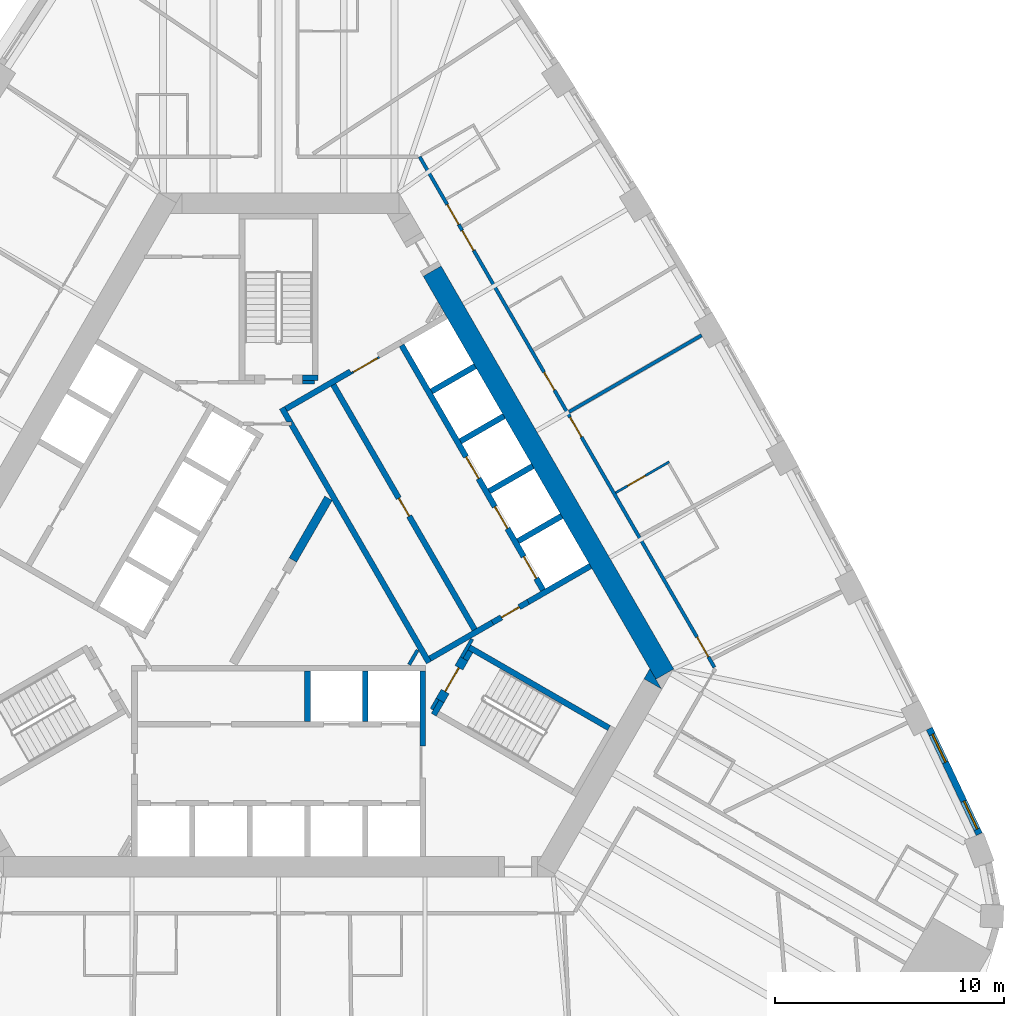
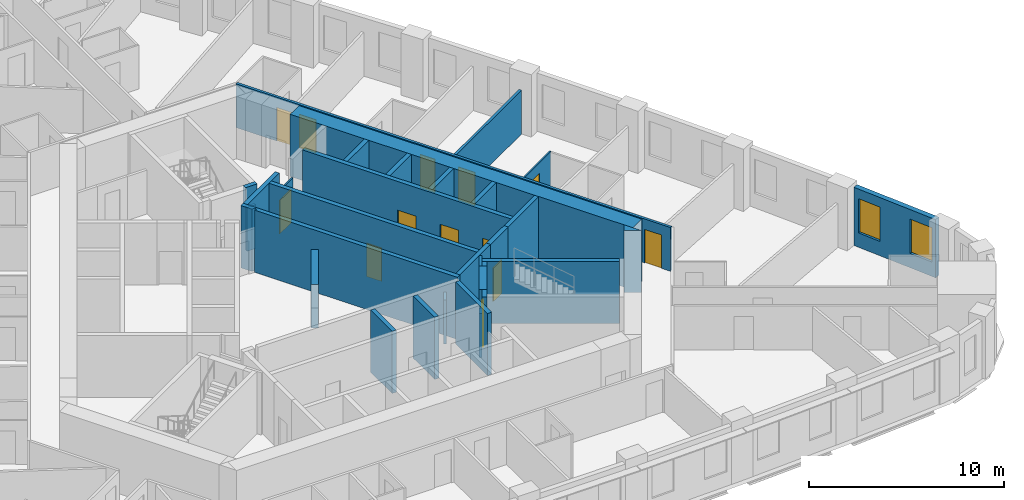
# One storey, part 8 of 12: 31 walls, 13 doors, 2 windows, 15 openings.
"""IFC4 building model written with IfcOpenShell, lengths in metres."""

import ifcopenshell
import ifcopenshell.guid

model = None  # the IFC model being written
_history = None  # IfcOwnerHistory: only IFC2X3 demands one
_inside = {}  # id of a spatial element -> (the spatial element, [elements in it])
_under = {}  # id of a project, library or spatial element -> (it, [spatial elements below it])
_declared = {}  # id of a project -> (the project, [libraries it declares])
_typed = {}  # id of a type object -> (the type object, [elements of that type])
_made_of = {}  # id of a material, layer set ... -> (it, [elements and type objects made of it])


def new_model(schema):
    """Start an empty IFC model of exactly this schema.

    Asked for "IFC4X3", IfcOpenShell would pick the latest addendum, in which some entities
    have other attributes; the version numbers below select the first issue.
    IFC2X3 requires an IfcOwnerHistory on every rooted entity: one is made here for all.
    """
    global model, _history
    if schema == "IFC4X3":
        model = ifcopenshell.file(schema_version=(4, 3, 0, 0))
    else:
        model = ifcopenshell.file(schema=schema)
    _inside.clear()
    _under.clear()
    _declared.clear()
    _typed.clear()
    _made_of.clear()
    _history = None
    if model.schema == "IFC2X3":
        org = make("IfcOrganization", Name="unknown")
        user = make(
            "IfcPersonAndOrganization",
            ThePerson=make("IfcPerson", FamilyName="unknown"),
            TheOrganization=org,
        )
        app = make(
            "IfcApplication",
            ApplicationDeveloper=org,
            Version="unknown",
            ApplicationFullName="unknown",
            ApplicationIdentifier="unknown",
        )
        _history = make(
            "IfcOwnerHistory",
            OwningUser=user,
            OwningApplication=app,
            ChangeAction="ADDED",
            CreationDate=0,
        )
    return model


def make(cls, **values):
    """One entity of the class cls with the attributes given. An attribute that is None is left unset."""
    return model.create_entity(
        cls, **{name: value for name, value in values.items() if value is not None}
    )


def rooted(cls, **values):
    """An entity with a GlobalId (a new one), such as an element, a storey or a relation."""
    return make(cls, GlobalId=ifcopenshell.guid.new(), OwnerHistory=_history, **values)


def si_unit(unit_type, name, prefix=None):
    """IfcSIUnit, for example si_unit("LENGTHUNIT", "METRE", prefix="MILLI")."""
    return make("IfcSIUnit", UnitType=unit_type, Prefix=prefix, Name=name)


def assignment(units):
    """IfcUnitAssignment: the units of a project."""
    return None if units is None else make("IfcUnitAssignment", Units=units)


def point(xyz):
    """IfcCartesianPoint."""
    return None if xyz is None else make("IfcCartesianPoint", Coordinates=xyz)


def direction(xyz):
    """IfcDirection."""
    return None if xyz is None else make("IfcDirection", DirectionRatios=xyz)


def frame(location, z_axis=None, x_axis=None):
    """IfcAxis2Placement3D, a coordinate frame: its origin and axes. An axis left out is left unset."""
    return make(
        "IfcAxis2Placement3D",
        Location=point(location),
        Axis=direction(z_axis),
        RefDirection=direction(x_axis),
    )


def frame_2d(location, x_axis=None):
    """IfcAxis2Placement2D, a coordinate frame in the plane: its origin and x axis."""
    return make(
        "IfcAxis2Placement2D", Location=point(location), RefDirection=direction(x_axis)
    )


def origin():
    """The frame at (0, 0, 0) with its axes left unset."""
    return frame((0.0, 0.0, 0.0))


def place(relative_to, where):
    """IfcLocalPlacement: puts the frame where relative to a parent placement (None: the world)."""
    return make(
        "IfcLocalPlacement", PlacementRelTo=relative_to, RelativePlacement=where
    )


def context(
    kind, dimensions, precision=None, world=None, true_north=None, identifier=None
):
    """IfcGeometricRepresentationContext, for example the 3D "Model" context."""
    return make(
        "IfcGeometricRepresentationContext",
        ContextIdentifier=identifier,
        ContextType=kind,
        CoordinateSpaceDimension=dimensions,
        Precision=precision,
        WorldCoordinateSystem=world,
        TrueNorth=true_north,
    )


def subcontext(parent, identifier, kind, view, scale=None):
    """IfcGeometricRepresentationSubContext, for example "Body" below "Model"."""
    return make(
        "IfcGeometricRepresentationSubContext",
        ContextIdentifier=identifier,
        ContextType=kind,
        ParentContext=parent,
        TargetScale=scale,
        TargetView=view,
    )


def project(units=None, contexts=None):
    """IfcProject with its units and contexts."""
    return rooted(
        "IfcProject",
        Name="project",
        RepresentationContexts=contexts,
        UnitsInContext=assignment(units),
    )


def spatial(cls, under=None, at=None, **own):
    """A site, building, storey or space (cls), placed at a placement, below another one or the project."""
    s = rooted(cls, ObjectPlacement=at, **own)
    if under is not None:
        _under.setdefault(under.id(), (under, []))[1].append(s)
    return s


def polyline(points):
    """IfcPolyline through the points."""
    return make("IfcPolyline", Points=[point(p) for p in points])


def profile(cls, at=None, kind="AREA", **sizes):
    """A parametric profile (cls). Its sizes go by their IFC names, for example OverallWidth=200.0."""
    return make(cls, ProfileType=kind, Position=at, **sizes)


def rectangle(**sizes):
    """IfcRectangleProfileDef."""
    return profile("IfcRectangleProfileDef", **sizes)


def outline(outer, holes=None, kind="AREA"):
    """IfcArbitraryClosedProfileDef: a profile drawn as a closed curve; with holes, ...WithVoids."""
    if holes is None:
        return make("IfcArbitraryClosedProfileDef", ProfileType=kind, OuterCurve=outer)
    return make(
        "IfcArbitraryProfileDefWithVoids",
        ProfileType=kind,
        OuterCurve=outer,
        InnerCurves=holes,
    )


def extrude(swept, where, along, depth):
    """IfcExtrudedAreaSolid: the profile swept, set in the frame where, extruded along a direction by depth."""
    return make(
        "IfcExtrudedAreaSolid",
        SweptArea=swept,
        Position=where,
        ExtrudedDirection=direction(along),
        Depth=depth,
    )


def shape(context_of_items, identifier, shape_type, items):
    """IfcShapeRepresentation: the items that make up one representation, for example the "Body"."""
    return make(
        "IfcShapeRepresentation",
        ContextOfItems=context_of_items,
        RepresentationIdentifier=identifier,
        RepresentationType=shape_type,
        Items=items,
    )


def material(Name=None, Category=None):
    """IfcMaterial."""
    return make("IfcMaterial", Name=Name, Category=Category)


def layer(
    of_material, thickness, ventilated=None, Name=None, Category=None, Priority=None
):
    """IfcMaterialLayer: one layer of a wall or slab, of a material (None: an air gap)."""
    return make(
        "IfcMaterialLayer",
        Material=of_material,
        LayerThickness=thickness,
        IsVentilated=ventilated,
        Name=Name,
        Category=Category,
        Priority=Priority,
    )


def layer_set(layers, Name=None):
    """IfcMaterialLayerSet."""
    return make("IfcMaterialLayerSet", MaterialLayers=layers, LayerSetName=Name)


def made_of(thing, what):
    """Note that an element or type object is made of a material, layer set ...; save() writes the relation."""
    if what is not None:
        _made_of.setdefault(what.id(), (what, []))[1].append(thing)
    return thing


def type_object(cls, material=None, **own):
    """A type object (cls), such as IfcWallType, which elements share."""
    return made_of(rooted(cls, **own), material)


def element(
    cls,
    number,
    at=None,
    inside=None,
    cuts=None,
    type_object=None,
    material=None,
    context=None,
    identifier="Body",
    shape_type=None,
    held_by="IfcProductDefinitionShape",
    body=None,
    shapes=None,
    **own,
):
    """One element of the class cls, such as IfcWall. Its Tag is "e" and its number.

    at: its placement. inside: the storey or other place that contains it. cuts: it is an
    opening in that element (IfcRelVoidsElement). A single representation is given by context,
    identifier, shape_type and body (its items); several are given by shapes. held_by: the class
    of the entity that holds the representations. save() writes the other relations.
    """
    e = rooted(cls, Tag="e%d" % number, ObjectPlacement=at, **own)
    if body is not None:
        shapes = [shape(context, identifier, shape_type, body)]
    if shapes is not None:
        e.Representation = make(held_by, Representations=shapes)
    if inside is not None:
        _inside.setdefault(inside.id(), (inside, []))[1].append(e)
    if cuts is not None:
        rooted(
            "IfcRelVoidsElement", RelatingBuildingElement=cuts, RelatedOpeningElement=e
        )
    if type_object is not None:
        _typed.setdefault(type_object.id(), (type_object, []))[1].append(e)
    return made_of(e, material)


def fill(opening, filler):
    """IfcRelFillsElement: the door or window that sits in an opening."""
    return rooted(
        "IfcRelFillsElement",
        RelatingOpeningElement=opening,
        RelatedBuildingElement=filler,
    )


def aggregate(whole, parts):
    """IfcRelAggregates: a whole, such as a stair, and the parts it consists of."""
    return rooted("IfcRelAggregates", RelatingObject=whole, RelatedObjects=parts)


def save(model, path):
    """Write the relations noted so far, then the file.

    IfcRelAggregates (storeys below a building ...), IfcRelContainedInSpatialStructure (elements
    in a storey), IfcRelDefinesByType, IfcRelAssociatesMaterial and IfcRelDeclares: one each for
    every whole, place, type object, material and project.
    """
    for whole, parts in _under.values():
        aggregate(whole, parts)
    for where, things in _inside.values():
        rooted(
            "IfcRelContainedInSpatialStructure",
            RelatedElements=things,
            RelatingStructure=where,
        )
    for kind, things in _typed.values():
        rooted("IfcRelDefinesByType", RelatedObjects=things, RelatingType=kind)
    for what, things in _made_of.values():
        rooted("IfcRelAssociatesMaterial", RelatedObjects=things, RelatingMaterial=what)
    for by, libraries in _declared.values():
        rooted("IfcRelDeclares", RelatingContext=by, RelatedDefinitions=libraries)
    model.write(path)


model = new_model("IFC4")

# Units and contexts
model_context = context("Model", 3, precision=1e-05, world=origin(), true_north=direction((0.0, 1.0)))
body_context = subcontext(model_context, "Body", "Model", "MODEL_VIEW")
ifc_project = project(units=[si_unit("LENGTHUNIT", "METRE"), si_unit("AREAUNIT", "SQUARE_METRE"), si_unit("VOLUMEUNIT", "CUBIC_METRE"), si_unit("PLANEANGLEUNIT", "RADIAN"), si_unit("MASSUNIT", "GRAM", prefix="KILO")], contexts=[model_context])

# Site, building, storey
site_placement = place(None, origin())
site = spatial("IfcSite", under=ifc_project, at=site_placement, CompositionType="ELEMENT")
building_placement = place(site_placement, origin())
building = spatial("IfcBuilding", under=site, at=building_placement, Name="Mestral Congress Tower", CompositionType="ELEMENT")
storey_placement = place(building_placement, frame((0.0, 0.0, 111.0)))
storey = spatial("IfcBuildingStorey", under=building, at=storey_placement, Name="L26", CompositionType="ELEMENT", Elevation=111.0)

# Walls
ifc_material_1 = material(Name="Fire-rated board partition")
ifc_layer_1 = layer(ifc_material_1, 0.14990234375)
ifc_layer_set_1 = layer_set([ifc_layer_1], Name="Fire-rated board partition")
wall_type_1 = type_object("IfcWallType", Name="Core partition 150", PredefinedType="PARTITIONING", material=ifc_layer_set_1)
wall_1_placement = place(storey_placement, frame((6.94482421875, -5.22216796875, 0.0), z_axis=(0.0, 0.0, 1.0), x_axis=(-0.499818422106, -0.866130212453, 0.0)))
element("IfcWall", 1, at=wall_1_placement, inside=storey, type_object=wall_type_1, Name="L26 core wall", PredefinedType="PARTITIONING", context=body_context, shape_type="SweptSolid", body=[
    extrude(rectangle(XDim=0.513916015625, YDim=0.14990234375, at=frame_2d((0.2568359375, 0.0))), origin(), (0.0, 0.0, 1.0), 2.75),
])
wall_2_placement = place(storey_placement, frame((5.704833984375, -3.718017578125, 0.0), z_axis=(0.0, 0.0, 1.0), x_axis=(0.499962090823, 0.866047289552, 0.0)))
element("IfcWall", 2, at=wall_2_placement, inside=storey, type_object=wall_type_1, Name="L26 core wall", PredefinedType="PARTITIONING", context=body_context, shape_type="SweptSolid", body=[
    extrude(rectangle(XDim=0.73486328125, YDim=0.14990234375, at=frame_2d((0.367431640625, 0.0))), origin(), (0.0, 0.0, 1.0), 2.75),
])
placement = place(storey_placement, origin())
element("IfcWall", 3, at=placement, inside=storey, type_object=wall_type_1, Name="L26 core wall", PredefinedType="PARTITIONING", context=body_context, shape_type="SweptSolid", body=[
    extrude(outline(polyline([(2.016845703125, 3.64306640625), (2.341552734375, 3.45556640625), (0.784912109375, 0.759521484375), (0.460205078125, 0.947021484375), (2.016845703125, 3.64306640625)])), origin(), (0.0, 0.0, 1.0), 2.75),
])
wall_4_placement = place(storey_placement, frame((1.050048828125, 8.62548828125, 0.0), z_axis=(0.0, 0.0, 1.0), x_axis=(1.0, 0.0, 0.0)))
element("IfcWall", 4, at=wall_4_placement, inside=storey, type_object=wall_type_1, Name="L26 core wall", PredefinedType="PARTITIONING", context=body_context, shape_type="SweptSolid", body=[
    extrude(rectangle(XDim=0.513916015625, YDim=0.14990234375, at=frame_2d((0.2568359375, 0.0))), origin(), (0.0, 0.0, 1.0), 2.75),
])

# Wall, opening, door
ifc_layer_2 = layer(ifc_material_1, 0.090087890625)
ifc_layer_set_2 = layer_set([ifc_layer_2], Name="Fire-rated board partition")
wall_type_2 = type_object("IfcWallType", Name="Core partition 150 door-wall 90", PredefinedType="PARTITIONING", material=ifc_layer_set_2)
wall_5_placement = place(storey_placement, frame((3.182861328125, 9.02001953125, 0.0), z_axis=(0.0, 0.0, 1.0), x_axis=(0.866034573852, 0.49998411664, 0.0)))
wall_5 = element("IfcWall", 5, at=wall_5_placement, inside=storey, type_object=wall_type_2, Name="L26 door wall", PredefinedType="PARTITIONING", context=body_context, shape_type="SweptSolid", body=[
    extrude(rectangle(XDim=1.39990234375, YDim=0.090087890625, at=frame_2d((0.699951171875, 0.0))), origin(), (0.0, 0.0, 1.0), 2.75),
])
opening_1_placement = place(wall_5_placement, frame((0.10009765625, 0.0, 0.0)))
opening_1 = element("IfcOpeningElement", 6, at=opening_1_placement, cuts=wall_5, Name="Opening LB1-WL2", PredefinedType="OPENING", context=body_context, shape_type="SweptSolid", body=[
    extrude(rectangle(XDim=1.199951171875, YDim=2.10009765625, at=frame_2d((0.60009765625, 1.050048828125))), frame((0.0, 0.054931640625, 0.0), z_axis=(0.0, -1.0, 0.0), x_axis=(1.0, 0.0, 0.0)), (0.0, 0.0, 1.0), 0.110107421875),
])
ifc_material_2 = material(Name="Fire-rated steel door set", Category="steel")
door_type_1 = type_object("IfcDoorType", Name="Core door LB 1200x2100", OperationType="SINGLE_SWING_LEFT", PredefinedType="DOOR", material=ifc_material_2)
door_1_placement = place(opening_1_placement, origin())
door_1 = element("IfcDoor", 7, at=door_1_placement, inside=storey, type_object=door_type_1, Name="Door LB1-WL2", OperationType="SINGLE_SWING_LEFT", OverallHeight=2.10009765625, OverallWidth=1.199951171875, PredefinedType="DOOR", context=body_context, shape_type="SweptSolid", body=[
    extrude(rectangle(XDim=1.199951171875, YDim=2.10009765625, at=frame_2d((0.60009765625, 1.050048828125))), frame((0.0, 0.02490234375, 0.0), z_axis=(0.0, -1.0, 0.0), x_axis=(1.0, 0.0, 0.0)), (0.0, 0.0, 1.0), 0.050048828125),
])
fill(opening_1, door_1)

# Walls
ifc_material_3 = material(Name="Concrete C60/75", Category="concrete")
ifc_layer_3 = layer(ifc_material_3, 0.89990234375)
ifc_layer_set_3 = layer_set([ifc_layer_3], Name="Concrete C60/75")
wall_type_3 = type_object("IfcWallType", Name="Core wall RC 900", PredefinedType="SOLIDWALL", material=ifc_layer_set_3)
wall_6_placement = place(storey_placement, frame((6.7109375, 13.476318359375, 0.0), z_axis=(0.0, 0.0, 1.0), x_axis=(0.500002723396, -0.866023831425, 0.0)))
element("IfcWall", 8, at=wall_6_placement, inside=storey, type_object=wall_type_3, Name="L26 core wall", PredefinedType="SOLIDWALL", context=body_context, shape_type="SweptSolid", body=[
    extrude(rectangle(XDim=20.333984375, YDim=0.89990234375, at=frame_2d((10.1669921875, 0.0))), origin(), (0.0, 0.0, 1.0), 3.89990234375),
])
element("IfcWall", 9, at=placement, inside=storey, type_object=wall_type_3, Name="L26 core wall", PredefinedType="SOLIDWALL", context=body_context, shape_type="SweptSolid", body=[
    extrude(outline(polyline([(16.223388671875, -3.900146484375), (16.731689453125, -4.780029296875), (15.969482421875, -4.340087890625), (16.223388671875, -3.900146484375)])), origin(), (0.0, 0.0, 1.0), 3.89990234375),
])

# Wall, openings, windows
ifc_material_4 = material(Name="Precast concrete C40/50 with limestone facing", Category="masonry")
ifc_layer_4 = layer(ifc_material_4, 0.2900390625)
ifc_layer_set_4 = layer_set([ifc_layer_4], Name="Precast concrete C40/50 with limestone facing")
wall_type_4 = type_object("IfcWallType", Name="Facade stone wall 290", PredefinedType="SOLIDWALL", material=ifc_layer_set_4)
wall_8_placement = place(storey_placement, frame((30.61962890625, -11.127197265625, 0.0), z_axis=(0.0, 0.0, 1.0), x_axis=(-0.427543726596, 0.903994669148, 0.0)))
wall_8 = element("IfcWall", 10, at=wall_8_placement, inside=storey, type_object=wall_type_4, Name="Facade wall F1-00", PredefinedType="SOLIDWALL", context=body_context, shape_type="SweptSolid", body=[
    extrude(rectangle(XDim=5.106689453125, YDim=0.2900390625, at=frame_2d((2.55322265625, 0.0))), origin(), (0.0, 0.0, 1.0), 3.64990234375),
])
opening_2_placement = place(wall_8_placement, frame((0.240478515625, 0.0, 0.89990234375)))
opening_2 = element("IfcOpeningElement", 11, at=opening_2_placement, cuts=wall_8, Name="Opening W2", PredefinedType="OPENING", context=body_context, shape_type="SweptSolid", body=[
    extrude(rectangle(XDim=1.35009765625, YDim=2.14990234375, at=frame_2d((0.675048828125, 1.074951171875))), frame((0.0, 0.155029296875, 0.0), z_axis=(0.0, -1.0, 0.0), x_axis=(1.0, 0.0, 0.0)), (0.0, 0.0, 1.0), 0.31005859375),
])
opening_3_placement = place(wall_8_placement, frame((3.47119140625, 0.0, 0.89990234375)))
opening_3 = element("IfcOpeningElement", 12, at=opening_3_placement, cuts=wall_8, Name="Opening W2", PredefinedType="OPENING", context=body_context, shape_type="SweptSolid", body=[
    extrude(rectangle(XDim=1.35009765625, YDim=2.14990234375, at=frame_2d((0.675048828125, 1.074951171875))), frame((0.0, 0.155029296875, 0.0), z_axis=(0.0, -1.0, 0.0), x_axis=(1.0, 0.0, 0.0)), (0.0, 0.0, 1.0), 0.31005859375),
])
ifc_material_5 = material(Name="Clear low-emissivity double glazing", Category="glass")
window_type = type_object("IfcWindowType", Name="Facade punched window 1350 x 2150 sill 900", PartitioningType="DOUBLE_PANEL_VERTICAL", PredefinedType="WINDOW", material=ifc_material_5)
window_1_placement = place(opening_2_placement, origin())
window_1 = element("IfcWindow", 13, at=window_1_placement, inside=storey, type_object=window_type, Name="Window F1-00a", OverallHeight=2.14990234375, OverallWidth=1.35009765625, PartitioningType="DOUBLE_PANEL_VERTICAL", PredefinedType="WINDOW", context=body_context, shape_type="SweptSolid", body=[
    extrude(rectangle(XDim=1.35009765625, YDim=2.14990234375, at=frame_2d((0.675048828125, 1.074951171875))), frame((0.0, 0.01513671875, 0.0), z_axis=(0.0, -1.0, 0.0), x_axis=(1.0, 0.0, 0.0)), (0.0, 0.0, 1.0), 0.06005859375),
])
fill(opening_2, window_1)
window_2_placement = place(opening_3_placement, origin())
window_2 = element("IfcWindow", 14, at=window_2_placement, inside=storey, type_object=window_type, Name="Window F1-00b", OverallHeight=2.14990234375, OverallWidth=1.35009765625, PartitioningType="DOUBLE_PANEL_VERTICAL", PredefinedType="WINDOW", context=body_context, shape_type="SweptSolid", body=[
    extrude(rectangle(XDim=1.35009765625, YDim=2.14990234375, at=frame_2d((0.675048828125, 1.074951171875))), frame((0.0, 0.01513671875, 0.0), z_axis=(0.0, -1.0, 0.0), x_axis=(1.0, 0.0, 0.0)), (0.0, 0.0, 1.0), 0.06005859375),
])
fill(opening_3, window_2)

# Wall, opening, door
ifc_material_6 = material(Name="Gypsum board partition on metal studs with mineral wool", Category="composite")
ifc_layer_5 = layer(ifc_material_6, 0.10009765625)
ifc_layer_set_5 = layer_set([ifc_layer_5], Name="Gypsum board partition on metal studs with mineral wool")
wall_type_5 = type_object("IfcWallType", Name="Hotel partition wall 100", PredefinedType="PARTITIONING", material=ifc_layer_set_5)
wall_9_placement = place(storey_placement, frame((17.065673828125, 5.141357421875, 0.0), z_axis=(0.0, 0.0, 1.0), x_axis=(-0.866059108428, -0.4999416173, 0.0)))
wall_9 = element("IfcWall", 15, at=wall_9_placement, inside=storey, type_object=wall_type_5, Name="L26-h-pod11a", PredefinedType="PARTITIONING", context=body_context, shape_type="SweptSolid", body=[
    extrude(rectangle(XDim=2.699951171875, YDim=0.10009765625, at=frame_2d((1.35009765625, 0.0))), origin(), (0.0, 0.0, 1.0), 2.75),
])
opening_4_placement = place(wall_9_placement, frame((1.199951171875, 0.0, 0.0)))
opening_4 = element("IfcOpeningElement", 16, at=opening_4_placement, cuts=wall_9, Name="Opening H08-019", PredefinedType="OPENING", context=body_context, shape_type="SweptSolid", body=[
    extrude(rectangle(XDim=0.89990234375, YDim=2.10009765625, at=frame_2d((0.449951171875, 1.050048828125))), frame((0.0, 0.06005859375, 0.0), z_axis=(0.0, -1.0, 0.0), x_axis=(1.0, 0.0, 0.0)), (0.0, 0.0, 1.0), 0.1201171875),
])
ifc_material_7 = material(Name="Timber veneer door leaf in timber frame", Category="wood")
door_type_2 = type_object("IfcDoorType", Name="Bathroom door 900", OperationType="SINGLE_SWING_LEFT", PredefinedType="DOOR", material=ifc_material_7)
door_2_placement = place(opening_4_placement, origin())
door_2 = element("IfcDoor", 17, at=door_2_placement, inside=storey, type_object=door_type_2, Name="L26-h-d019", OperationType="SINGLE_SWING_LEFT", OverallHeight=2.10009765625, OverallWidth=0.89990234375, PredefinedType="DOOR", context=body_context, shape_type="SweptSolid", body=[
    extrude(rectangle(XDim=0.89990234375, YDim=2.10009765625, at=frame_2d((0.449951171875, 1.050048828125))), frame((0.0, 0.02490234375, 0.0), z_axis=(0.0, -1.0, 0.0), x_axis=(1.0, 0.0, 0.0)), (0.0, 0.0, 1.0), 0.050048828125),
])
fill(opening_4, door_2)

# Wall, openings, doors
ifc_layer_6 = layer(ifc_material_6, 0.14990234375)
ifc_layer_set_6 = layer_set([ifc_layer_6], Name="Gypsum board partition on metal studs with mineral wool")
wall_type_6 = type_object("IfcWallType", Name="Hotel partition wall 150", PredefinedType="PARTITIONING", material=ifc_layer_set_6)
wall_10_placement = place(storey_placement, frame((6.1630859375, 18.47509765625, 0.0), z_axis=(0.0, 0.0, 1.0), x_axis=(0.500001317485, -0.866024643133, 0.0)))
wall_10 = element("IfcWall", 18, at=wall_10_placement, inside=storey, type_object=wall_type_6, Name="L26-h-cw03", PredefinedType="PARTITIONING", context=body_context, shape_type="SweptSolid", body=[
    extrude(rectangle(XDim=25.7666015625, YDim=0.14990234375, at=frame_2d((12.88330078125, 0.0))), origin(), (0.0, 0.0, 1.0), 2.75),
])
opening_5_placement = place(wall_10_placement, frame((24.24072265625, 0.0, 0.0)))
opening_5 = element("IfcOpeningElement", 19, at=opening_5_placement, cuts=wall_10, Name="Opening H08-016", PredefinedType="OPENING", context=body_context, shape_type="SweptSolid", body=[
    extrude(rectangle(XDim=1.0, YDim=2.10009765625, at=frame_2d((0.5, 1.050048828125))), frame((0.0, 0.0849609375, 0.0), z_axis=(0.0, -1.0, 0.0), x_axis=(1.0, 0.0, 0.0)), (0.0, 0.0, 1.0), 0.169921875),
])
opening_6_placement = place(wall_10_placement, frame((13.143798828125, 0.0, 0.0)))
opening_6 = element("IfcOpeningElement", 20, at=opening_6_placement, cuts=wall_10, Name="Opening H08-018", PredefinedType="OPENING", context=body_context, shape_type="SweptSolid", body=[
    extrude(rectangle(XDim=1.0, YDim=2.10009765625, at=frame_2d((0.5, 1.050048828125))), frame((0.0, 0.0849609375, 0.0), z_axis=(0.0, -1.0, 0.0), x_axis=(1.0, 0.0, 0.0)), (0.0, 0.0, 1.0), 0.169921875),
])
opening_7_placement = place(wall_10_placement, frame((10.873779296875, 0.0, 0.0)))
opening_7 = element("IfcOpeningElement", 21, at=opening_7_placement, cuts=wall_10, Name="Opening H08-020", PredefinedType="OPENING", context=body_context, shape_type="SweptSolid", body=[
    extrude(rectangle(XDim=0.89990234375, YDim=2.10009765625, at=frame_2d((0.449951171875, 1.050048828125))), frame((0.0, 0.0849609375, 0.0), z_axis=(0.0, -1.0, 0.0), x_axis=(1.0, 0.0, 0.0)), (0.0, 0.0, 1.0), 0.169921875),
])
opening_8_placement = place(wall_10_placement, frame((3.718017578125, 0.0, 0.0)))
opening_8 = element("IfcOpeningElement", 22, at=opening_8_placement, cuts=wall_10, Name="Opening H08-021", PredefinedType="OPENING", context=body_context, shape_type="SweptSolid", body=[
    extrude(rectangle(XDim=1.0, YDim=2.10009765625, at=frame_2d((0.5, 1.050048828125))), frame((0.0, 0.0849609375, 0.0), z_axis=(0.0, -1.0, 0.0), x_axis=(1.0, 0.0, 0.0)), (0.0, 0.0, 1.0), 0.169921875),
])
opening_9_placement = place(wall_10_placement, frame((2.410888671875, 0.0, 0.0)))
opening_9 = element("IfcOpeningElement", 23, at=opening_9_placement, cuts=wall_10, Name="Opening H08-023", PredefinedType="OPENING", context=body_context, shape_type="SweptSolid", body=[
    extrude(rectangle(XDim=1.0, YDim=2.10009765625, at=frame_2d((0.5, 1.050048828125))), frame((0.0, 0.0849609375, 0.0), z_axis=(0.0, -1.0, 0.0), x_axis=(1.0, 0.0, 0.0)), (0.0, 0.0, 1.0), 0.169921875),
])
ifc_material_8 = material(Name="Timber veneer door leaf in metal frame", Category="wood")
door_type_3 = type_object("IfcDoorType", Name="Guest room entrance door 1000", OperationType="SINGLE_SWING_LEFT", PredefinedType="DOOR", material=ifc_material_8)
door_3_placement = place(opening_5_placement, origin())
door_3 = element("IfcDoor", 24, at=door_3_placement, inside=storey, type_object=door_type_3, Name="L26-h-d016", OperationType="SINGLE_SWING_RIGHT", OverallHeight=2.10009765625, OverallWidth=1.0, PredefinedType="DOOR", context=body_context, shape_type="SweptSolid", body=[
    extrude(rectangle(XDim=1.0, YDim=2.10009765625, at=frame_2d((0.5, 1.050048828125))), frame((0.0, 0.02490234375, 0.0), z_axis=(0.0, -1.0, 0.0), x_axis=(1.0, 0.0, 0.0)), (0.0, 0.0, 1.0), 0.050048828125),
])
fill(opening_5, door_3)
door_4_placement = place(opening_6_placement, origin())
door_4 = element("IfcDoor", 25, at=door_4_placement, inside=storey, type_object=door_type_3, Name="L26-h-d018", OperationType="SINGLE_SWING_LEFT", OverallHeight=2.10009765625, OverallWidth=1.0, PredefinedType="DOOR", context=body_context, shape_type="SweptSolid", body=[
    extrude(rectangle(XDim=1.0, YDim=2.10009765625, at=frame_2d((0.5, 1.050048828125))), frame((0.0, 0.02490234375, 0.0), z_axis=(0.0, -1.0, 0.0), x_axis=(1.0, 0.0, 0.0)), (0.0, 0.0, 1.0), 0.050048828125),
])
fill(opening_6, door_4)
door_5_placement = place(opening_8_placement, origin())
door_5 = element("IfcDoor", 26, at=door_5_placement, inside=storey, type_object=door_type_3, Name="L26-h-d021", OperationType="SINGLE_SWING_LEFT", OverallHeight=2.10009765625, OverallWidth=1.0, PredefinedType="DOOR", context=body_context, shape_type="SweptSolid", body=[
    extrude(rectangle(XDim=1.0, YDim=2.10009765625, at=frame_2d((0.5, 1.050048828125))), frame((0.0, 0.02490234375, 0.0), z_axis=(0.0, -1.0, 0.0), x_axis=(1.0, 0.0, 0.0)), (0.0, 0.0, 1.0), 0.050048828125),
])
fill(opening_8, door_5)
door_6_placement = place(opening_9_placement, origin())
door_6 = element("IfcDoor", 27, at=door_6_placement, inside=storey, type_object=door_type_3, Name="L26-h-d023", OperationType="SINGLE_SWING_RIGHT", OverallHeight=2.10009765625, OverallWidth=1.0, PredefinedType="DOOR", context=body_context, shape_type="SweptSolid", body=[
    extrude(rectangle(XDim=1.0, YDim=2.10009765625, at=frame_2d((0.5, 1.050048828125))), frame((0.0, 0.02490234375, 0.0), z_axis=(0.0, -1.0, 0.0), x_axis=(1.0, 0.0, 0.0)), (0.0, 0.0, 1.0), 0.050048828125),
])
fill(opening_9, door_6)
door_type_4 = type_object("IfcDoorType", Name="Service room door 900", OperationType="SINGLE_SWING_LEFT", PredefinedType="DOOR", material=ifc_material_8)
door_7_placement = place(opening_7_placement, origin())
door_7 = element("IfcDoor", 28, at=door_7_placement, inside=storey, type_object=door_type_4, Name="L26-h-d020", OperationType="SINGLE_SWING_RIGHT", OverallHeight=2.10009765625, OverallWidth=0.89990234375, PredefinedType="DOOR", context=body_context, shape_type="SweptSolid", body=[
    extrude(rectangle(XDim=0.89990234375, YDim=2.10009765625, at=frame_2d((0.449951171875, 1.050048828125))), frame((0.0, 0.02490234375, 0.0), z_axis=(0.0, -1.0, 0.0), x_axis=(1.0, 0.0, 0.0)), (0.0, 0.0, 1.0), 0.050048828125),
])
fill(opening_7, door_7)

# Walls
wall_11_placement = place(storey_placement, frame((18.484130859375, 10.671875, 0.0), z_axis=(0.0, 0.0, 1.0), x_axis=(-0.866019162053, -0.50001081084, 0.0)))
element("IfcWall", 29, at=wall_11_placement, inside=storey, type_object=wall_type_6, Name="L26-h-pw21", PredefinedType="PARTITIONING", context=body_context, shape_type="SweptSolid", body=[
    extrude(rectangle(XDim=6.693603515625, YDim=0.14990234375, at=frame_2d((3.3466796875, 0.0))), origin(), (0.0, 0.0, 1.0), 2.75),
])
ifc_layer_7 = layer(ifc_material_3, 0.25)
ifc_layer_set_7 = layer_set([ifc_layer_7], Name="Concrete C60/75")
wall_type_7 = type_object("IfcWallType", Name="Shaft wall RC 250", PredefinedType="SOLIDWALL", material=ifc_layer_set_7)
wall_12_placement = place(storey_placement, frame((6.300048828125, -7.26806640625, 0.0), z_axis=(0.0, 0.0, 1.0), x_axis=(0.0, 1.0, 0.0)))
element("IfcWall", 30, at=wall_12_placement, inside=storey, type_object=wall_type_7, Name="L26 core wall", PredefinedType="SOLIDWALL", context=body_context, shape_type="SweptSolid", body=[
    extrude(rectangle(XDim=3.26806640625, YDim=0.25, at=frame_2d((1.634033203125, 0.0))), origin(), (0.0, 0.0, 1.0), 3.89990234375),
])
for number, where, z_axis, x_axis, name in (
    (31, (3.780029296875, -4.0, 0.0), (0.0, 0.0, 1.0), (0.0, -1.0, 0.0), "L26 core wall"),
    (32, (1.260009765625, -4.0, 0.0), (0.0, 0.0, 1.0), (0.0, -1.0, 0.0), "L26 core wall"),
    (33, (10.463623046875, 1.676513671875, 0.0), (0.0, 0.0, 1.0), (0.86605622881, 0.499946605688, 0.0), "L26 core wall"),
):
    element("IfcWall", number, at=place(storey_placement, frame(where, z_axis=z_axis, x_axis=x_axis)), inside=storey, type_object=wall_type_7, Name=name, PredefinedType="SOLIDWALL", context=body_context, shape_type="SweptSolid", body=[
        extrude(rectangle(XDim=2.199951171875, YDim=0.25, at=frame_2d((1.10009765625, 0.0))), origin(), (0.0, 0.0, 1.0), 3.89990234375),
    ])
wall_13_placement = place(storey_placement, frame((13.62890625, 0.593994140625, 0.0), z_axis=(0.0, 0.0, 1.0), x_axis=(-0.86602790099, -0.499995674689, 0.0)))
element("IfcWall", 34, at=wall_13_placement, inside=storey, type_object=wall_type_7, Name="L26 core wall", PredefinedType="SOLIDWALL", context=body_context, shape_type="SweptSolid", body=[
    extrude(rectangle(XDim=3.1455078125, YDim=0.25, at=frame_2d((1.57275390625, 0.0))), origin(), (0.0, 0.0, 1.0), 3.89990234375),
])
element("IfcWall", 35, at=placement, inside=storey, type_object=wall_type_7, Name="L26 core wall", PredefinedType="SOLIDWALL", context=body_context, shape_type="SweptSolid", body=[
    extrude(outline(polyline([(0.565673828125, 6.72509765625), (0.565673828125, 6.875), (0.565673828125, 6.875), (0.5654296875, 6.875), (0.36083984375, 6.875), (0.03515625, 7.439208984375), (0.251708984375, 7.564208984375), (0.376708984375, 7.34765625), (6.551513671875, -3.34765625), (6.676513671875, -3.564208984375), (6.460205078125, -3.689208984375), (0.447509765625, 6.724853515625), (0.5654296875, 6.724853515625), (0.565673828125, 6.724853515625), (0.565673828125, 6.72509765625)])), origin(), (0.0, 0.0, 1.0), 3.89990234375),
])
wall_15_placement = place(storey_placement, frame((0.314208984375, 7.455810546875, 0.0), z_axis=(0.0, 0.0, 1.0), x_axis=(0.866013897511, 0.50001992892, 0.0)))
element("IfcWall", 36, at=wall_15_placement, inside=storey, type_object=wall_type_7, Name="L26 core wall", PredefinedType="SOLIDWALL", context=body_context, shape_type="SweptSolid", body=[
    extrude(rectangle(XDim=3.267822265625, YDim=0.25, at=frame_2d((1.6337890625, 0.0))), origin(), (0.0, 0.0, 1.0), 3.89990234375),
])
wall_16_placement = place(storey_placement, frame((6.614013671875, -3.4560546875, 0.0), z_axis=(0.0, 0.0, 1.0), x_axis=(0.86602447079, 0.500001615989, 0.0)))
element("IfcWall", 37, at=wall_16_placement, inside=storey, type_object=wall_type_7, Name="L26 core wall", PredefinedType="SOLIDWALL", context=body_context, shape_type="SweptSolid", body=[
    extrude(rectangle(XDim=3.154296875, YDim=0.25, at=frame_2d((1.5771484375, 0.0))), origin(), (0.0, 0.0, 1.0), 3.89990234375),
])
for number, where, z_axis, x_axis, name in (
    (38, (6.68359375, 8.2236328125, 0.0), (0.0, 0.0, 1.0), (0.86605622881, 0.499946605688, 0.0), "L26 core wall"),
    (39, (7.943603515625, 6.041259765625, 0.0), (0.0, 0.0, 1.0), (0.86605622881, 0.499946605688, 0.0), "L26 core wall"),
    (40, (9.20361328125, 3.85888671875, 0.0), (0.0, 0.0, 1.0), (0.86605622881, 0.499946605688, 0.0), "L26 core wall"),
):
    element("IfcWall", number, at=place(storey_placement, frame(where, z_axis=z_axis, x_axis=x_axis)), inside=storey, type_object=wall_type_7, Name=name, PredefinedType="SOLIDWALL", context=body_context, shape_type="SweptSolid", body=[
        extrude(rectangle(XDim=2.199951171875, YDim=0.25, at=frame_2d((1.10009765625, 0.0))), origin(), (0.0, 0.0, 1.0), 3.89990234375),
    ])

# Wall, openings, doors
wall_17_placement = place(storey_placement, frame((11.552978515625, -0.460205078125, 0.0), z_axis=(0.0, 0.0, 1.0), x_axis=(-0.500006514828, 0.866021642414, 0.0)))
wall_17 = element("IfcWall", 41, at=wall_17_placement, inside=storey, type_object=wall_type_7, Name="L26 door wall", PredefinedType="SOLIDWALL", context=body_context, shape_type="SweptSolid", body=[
    extrude(rectangle(XDim=12.349853515625, YDim=0.25, at=frame_2d((6.1748046875, 0.0))), origin(), (0.0, 0.0, 1.0), 3.89990234375),
])
opening_10_placement = place(wall_17_placement, frame((0.5849609375, 0.0, 0.0)))
opening_10 = element("IfcOpeningElement", 42, at=opening_10_placement, cuts=wall_17, Name="Opening LD-NEA1", PredefinedType="OPENING", context=body_context, shape_type="SweptSolid", body=[
    extrude(rectangle(XDim=1.10009765625, YDim=2.10009765625, at=frame_2d((0.550048828125, 1.050048828125))), frame((0.0, 0.135009765625, 0.0), z_axis=(0.0, -1.0, 0.0), x_axis=(1.0, 0.0, 0.0)), (0.0, 0.0, 1.0), 0.27001953125),
])
opening_11_placement = place(wall_17_placement, frame((3.10498046875, 0.0, 0.0)))
opening_11 = element("IfcOpeningElement", 43, at=opening_11_placement, cuts=wall_17, Name="Opening LD-NEA2", PredefinedType="OPENING", context=body_context, shape_type="SweptSolid", body=[
    extrude(rectangle(XDim=1.10009765625, YDim=2.10009765625, at=frame_2d((0.550048828125, 1.050048828125))), frame((0.0, 0.135009765625, 0.0), z_axis=(0.0, -1.0, 0.0), x_axis=(1.0, 0.0, 0.0)), (0.0, 0.0, 1.0), 0.27001953125),
])
opening_12_placement = place(wall_17_placement, frame((5.625, 0.0, 0.0)))
opening_12 = element("IfcOpeningElement", 44, at=opening_12_placement, cuts=wall_17, Name="Opening LD-NEA3", PredefinedType="OPENING", context=body_context, shape_type="SweptSolid", body=[
    extrude(rectangle(XDim=1.10009765625, YDim=2.10009765625, at=frame_2d((0.550048828125, 1.050048828125))), frame((0.0, 0.135009765625, 0.0), z_axis=(0.0, -1.0, 0.0), x_axis=(1.0, 0.0, 0.0)), (0.0, 0.0, 1.0), 0.27001953125),
])
door_type_5 = type_object("IfcDoorType", Name="Core door LD 1100x2100", OperationType="DOUBLE_DOOR_SLIDING", PredefinedType="DOOR", material=ifc_material_2)
door_8_placement = place(opening_10_placement, origin())
door_8 = element("IfcDoor", 45, at=door_8_placement, inside=storey, type_object=door_type_5, Name="Door LD-NEA1", OperationType="DOUBLE_DOOR_SLIDING", OverallHeight=2.10009765625, OverallWidth=1.10009765625, PredefinedType="DOOR", context=body_context, shape_type="SweptSolid", body=[
    extrude(rectangle(XDim=1.10009765625, YDim=2.10009765625, at=frame_2d((0.550048828125, 1.050048828125))), frame((0.0, 0.02490234375, 0.0), z_axis=(0.0, -1.0, 0.0), x_axis=(1.0, 0.0, 0.0)), (0.0, 0.0, 1.0), 0.050048828125),
])
fill(opening_10, door_8)
door_9_placement = place(opening_11_placement, origin())
door_9 = element("IfcDoor", 46, at=door_9_placement, inside=storey, type_object=door_type_5, Name="Door LD-NEA2", OperationType="DOUBLE_DOOR_SLIDING", OverallHeight=2.10009765625, OverallWidth=1.10009765625, PredefinedType="DOOR", context=body_context, shape_type="SweptSolid", body=[
    extrude(rectangle(XDim=1.10009765625, YDim=2.10009765625, at=frame_2d((0.550048828125, 1.050048828125))), frame((0.0, 0.02490234375, 0.0), z_axis=(0.0, -1.0, 0.0), x_axis=(1.0, 0.0, 0.0)), (0.0, 0.0, 1.0), 0.050048828125),
])
fill(opening_11, door_9)
door_10_placement = place(opening_12_placement, origin())
door_10 = element("IfcDoor", 47, at=door_10_placement, inside=storey, type_object=door_type_5, Name="Door LD-NEA3", OperationType="DOUBLE_DOOR_SLIDING", OverallHeight=2.10009765625, OverallWidth=1.10009765625, PredefinedType="DOOR", context=body_context, shape_type="SweptSolid", body=[
    extrude(rectangle(XDim=1.10009765625, YDim=2.10009765625, at=frame_2d((0.550048828125, 1.050048828125))), frame((0.0, 0.02490234375, 0.0), z_axis=(0.0, -1.0, 0.0), x_axis=(1.0, 0.0, 0.0)), (0.0, 0.0, 1.0), 0.050048828125),
])
fill(opening_12, door_10)

# Wall, opening, door
wall_18_placement = place(storey_placement, frame((8.565185546875, -2.185302734375, 0.0), z_axis=(0.0, 0.0, 1.0), x_axis=(-0.499997954832, 0.866026584559, 0.0)))
wall_18 = element("IfcWall", 48, at=wall_18_placement, inside=storey, type_object=wall_type_7, Name="L26 door wall", PredefinedType="SOLIDWALL", context=body_context, shape_type="SweptSolid", body=[
    extrude(rectangle(XDim=12.35009765625, YDim=0.25, at=frame_2d((6.175048828125, 0.0))), origin(), (0.0, 0.0, 1.0), 3.89990234375),
])
opening_13_placement = place(wall_18_placement, frame((5.72509765625, 0.0, 0.0)))
opening_13 = element("IfcOpeningElement", 49, at=opening_13_placement, cuts=wall_18, Name="Opening SR-NEB1", PredefinedType="OPENING", context=body_context, shape_type="SweptSolid", body=[
    extrude(rectangle(XDim=0.89990234375, YDim=2.10009765625, at=frame_2d((0.449951171875, 1.050048828125))), frame((0.0, 0.135009765625, 0.0), z_axis=(0.0, -1.0, 0.0), x_axis=(1.0, 0.0, 0.0)), (0.0, 0.0, 1.0), 0.27001953125),
])
door_type_6 = type_object("IfcDoorType", Name="Core door SR 900x2100", OperationType="SINGLE_SWING_LEFT", PredefinedType="DOOR", material=ifc_material_2)
door_11_placement = place(opening_13_placement, origin())
door_11 = element("IfcDoor", 50, at=door_11_placement, inside=storey, type_object=door_type_6, Name="Door SR-NEB1", OperationType="SINGLE_SWING_LEFT", OverallHeight=2.10009765625, OverallWidth=0.89990234375, PredefinedType="DOOR", context=body_context, shape_type="SweptSolid", body=[
    extrude(rectangle(XDim=0.89990234375, YDim=2.10009765625, at=frame_2d((0.449951171875, 1.050048828125))), frame((0.0, 0.02490234375, 0.0), z_axis=(0.0, -1.0, 0.0), x_axis=(1.0, 0.0, 0.0)), (0.0, 0.0, 1.0), 0.050048828125),
])
fill(opening_13, door_11)

wall_19_placement = place(storey_placement, frame((9.345947265625, -1.878662109375, 0.0), z_axis=(0.0, 0.0, 1.0), x_axis=(0.866047807691, 0.499961193289, 0.0)))
wall_19 = element("IfcWall", 51, at=wall_19_placement, inside=storey, type_object=wall_type_7, Name="L26 door wall", PredefinedType="SOLIDWALL", context=body_context, shape_type="SweptSolid", body=[
    extrude(rectangle(XDim=1.800048828125, YDim=0.25, at=frame_2d((0.89990234375, 0.0))), origin(), (0.0, 0.0, 1.0), 3.89990234375),
])
opening_14_placement = place(wall_19_placement, frame((0.449951171875, 0.0, 0.0)))
opening_14 = element("IfcOpeningElement", 52, at=opening_14_placement, cuts=wall_19, Name="Opening TD1", PredefinedType="OPENING", context=body_context, shape_type="SweptSolid", body=[
    extrude(rectangle(XDim=0.89990234375, YDim=2.10009765625, at=frame_2d((0.449951171875, 1.050048828125))), frame((0.0, 0.135009765625, 0.0), z_axis=(0.0, -1.0, 0.0), x_axis=(1.0, 0.0, 0.0)), (0.0, 0.0, 1.0), 0.27001953125),
])
door_12_placement = place(opening_14_placement, origin())
door_12 = element("IfcDoor", 53, at=door_12_placement, inside=storey, type_object=door_type_6, Name="Door TD1", OperationType="SINGLE_SWING_LEFT", OverallHeight=2.10009765625, OverallWidth=0.89990234375, PredefinedType="DOOR", context=body_context, shape_type="SweptSolid", body=[
    extrude(rectangle(XDim=0.89990234375, YDim=2.10009765625, at=frame_2d((0.449951171875, 1.050048828125))), frame((0.0, 0.02490234375, 0.0), z_axis=(0.0, -1.0, 0.0), x_axis=(1.0, 0.0, 0.0)), (0.0, 0.0, 1.0), 0.050048828125),
])
fill(opening_14, door_12)

# Walls
ifc_layer_8 = layer(ifc_material_3, 0.14990234375)
ifc_layer_set_8 = layer_set([ifc_layer_8], Name="Concrete C60/75")
wall_type_8 = type_object("IfcWallType", Name="Shaft wall RC 250 door-wall 150", PredefinedType="SOLIDWALL", material=ifc_layer_set_8)
wall_20_placement = place(storey_placement, frame((8.459228515625, -2.59912109375, 0.0), z_axis=(0.0, 0.0, 1.0), x_axis=(-0.500041054325, -0.866001699761, 0.0)))
element("IfcWall", 54, at=wall_20_placement, inside=storey, type_object=wall_type_8, Name="L26 core wall", PredefinedType="PARTITIONING", context=body_context, shape_type="SweptSolid", body=[
    extrude(rectangle(XDim=0.9287109375, YDim=0.14990234375, at=frame_2d((0.46435546875, 0.0))), origin(), (0.0, 0.0, 1.0), 3.89990234375),
])
ifc_layer_9 = layer(ifc_material_3, 0.25)
ifc_layer_set_9 = layer_set([ifc_layer_9], Name="Concrete C60/75")
wall_type_9 = type_object("IfcWallType", Name="Stair wall RC 250", PredefinedType="SOLIDWALL", material=ifc_layer_set_9)
wall_21_placement = place(storey_placement, frame((6.780029296875, -5.906494140625, 0.0), z_axis=(0.0, 0.0, 1.0), x_axis=(0.500223362819, 0.865896406789, 0.0)))
element("IfcWall", 55, at=wall_21_placement, inside=storey, type_object=wall_type_9, Name="L26 core wall", PredefinedType="SOLIDWALL", context=body_context, shape_type="SweptSolid", body=[
    extrude(rectangle(XDim=0.675048828125, YDim=0.25, at=frame_2d((0.33740234375, 0.0))), origin(), (0.0, 0.0, 1.0), 3.89990234375),
])
wall_22_placement = place(storey_placement, frame((8.33447265625, -2.96435546875, 0.0), z_axis=(0.0, 0.0, 1.0), x_axis=(0.866016039709, -0.500016218704, 0.0)))
element("IfcWall", 56, at=wall_22_placement, inside=storey, type_object=wall_type_9, Name="L26 core wall", PredefinedType="SOLIDWALL", context=body_context, shape_type="SweptSolid", body=[
    extrude(rectangle(XDim=7.050048828125, YDim=0.25, at=frame_2d((3.52490234375, 0.0))), origin(), (0.0, 0.0, 1.0), 3.89990234375),
])
wall_23_placement = place(storey_placement, frame((8.167724609375, -3.503173828125, 0.0), z_axis=(0.0, 0.0, 1.0), x_axis=(0.49972245349, 0.866185586049, 0.0)))
element("IfcWall", 57, at=wall_23_placement, inside=storey, type_object=wall_type_9, Name="L26 core wall", PredefinedType="SOLIDWALL", context=body_context, shape_type="SweptSolid", body=[
    extrude(rectangle(XDim=0.425048828125, YDim=0.25, at=frame_2d((0.21240234375, 0.0))), origin(), (0.0, 0.0, 1.0), 3.89990234375),
])
wall_24_placement = place(storey_placement, frame((1.050048828125, 8.824951171875, 0.0), z_axis=(0.0, 0.0, 1.0), x_axis=(1.0, 0.0, 0.0)))
element("IfcWall", 58, at=wall_24_placement, inside=storey, type_object=wall_type_9, Name="L26 core wall", PredefinedType="SOLIDWALL", context=body_context, shape_type="SweptSolid", body=[
    extrude(rectangle(XDim=0.675048828125, YDim=0.25, at=frame_2d((0.33740234375, 0.0))), origin(), (0.0, 0.0, 1.0), 3.89990234375),
])

# Wall, opening, door
ifc_layer_10 = layer(ifc_material_3, 0.39990234375)
ifc_layer_set_10 = layer_set([ifc_layer_10], Name="Concrete C60/75")
wall_type_10 = type_object("IfcWallType", Name="Stair wall RC 250 door-wall 400", PredefinedType="SOLIDWALL", material=ifc_layer_set_10)
wall_25_placement = place(storey_placement, frame((7.052734375, -5.2841796875, 0.0), z_axis=(0.0, 0.0, 1.0), x_axis=(0.500078061341, 0.865980330357, 0.0)))
wall_25 = element("IfcWall", 59, at=wall_25_placement, inside=storey, type_object=wall_type_10, Name="L26 door wall", PredefinedType="SOLIDWALL", context=body_context, shape_type="SweptSolid", body=[
    extrude(rectangle(XDim=2.099853515625, YDim=0.39990234375, at=frame_2d((1.0498046875, 0.0))), origin(), (0.0, 0.0, 1.0), 3.89990234375),
])
opening_15_placement = place(wall_25_placement, frame((0.449951171875, 0.0, 0.0)))
opening_15 = element("IfcOpeningElement", 60, at=opening_15_placement, cuts=wall_25, Name="Opening ST-D1", PredefinedType="OPENING", context=body_context, shape_type="SweptSolid", body=[
    extrude(rectangle(XDim=1.199951171875, YDim=2.10009765625, at=frame_2d((0.60009765625, 1.050048828125))), frame((0.0, 0.2099609375, 0.0), z_axis=(0.0, -1.0, 0.0), x_axis=(1.0, 0.0, 0.0)), (0.0, 0.0, 1.0), 0.419921875),
])
door_type_7 = type_object("IfcDoorType", Name="Core door ST 1200x2100", OperationType="SINGLE_SWING_LEFT", PredefinedType="DOOR", material=ifc_material_2)
door_13_placement = place(opening_15_placement, origin())
door_13 = element("IfcDoor", 61, at=door_13_placement, inside=storey, type_object=door_type_7, Name="Door ST-D1", OperationType="SINGLE_SWING_LEFT", OverallHeight=2.10009765625, OverallWidth=1.199951171875, PredefinedType="DOOR", context=body_context, shape_type="SweptSolid", body=[
    extrude(rectangle(XDim=1.199951171875, YDim=2.10009765625, at=frame_2d((0.60009765625, 1.050048828125))), frame((0.0, 0.02490234375, 0.0), z_axis=(0.0, -1.0, 0.0), x_axis=(1.0, 0.0, 0.0)), (0.0, 0.0, 1.0), 0.050048828125),
])
fill(opening_15, door_13)

save(model, "model.ifc")
